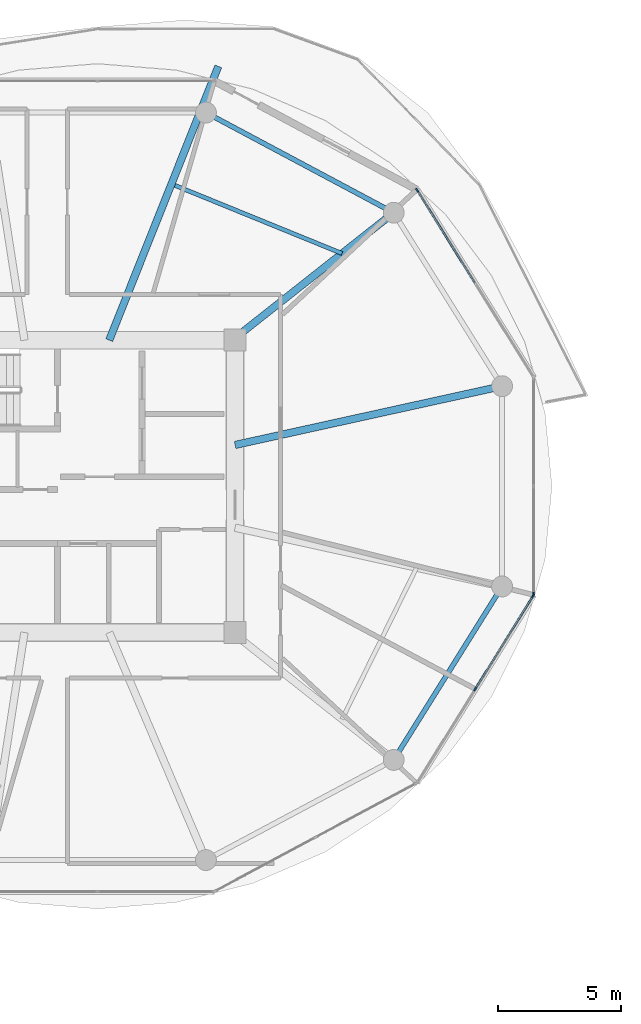
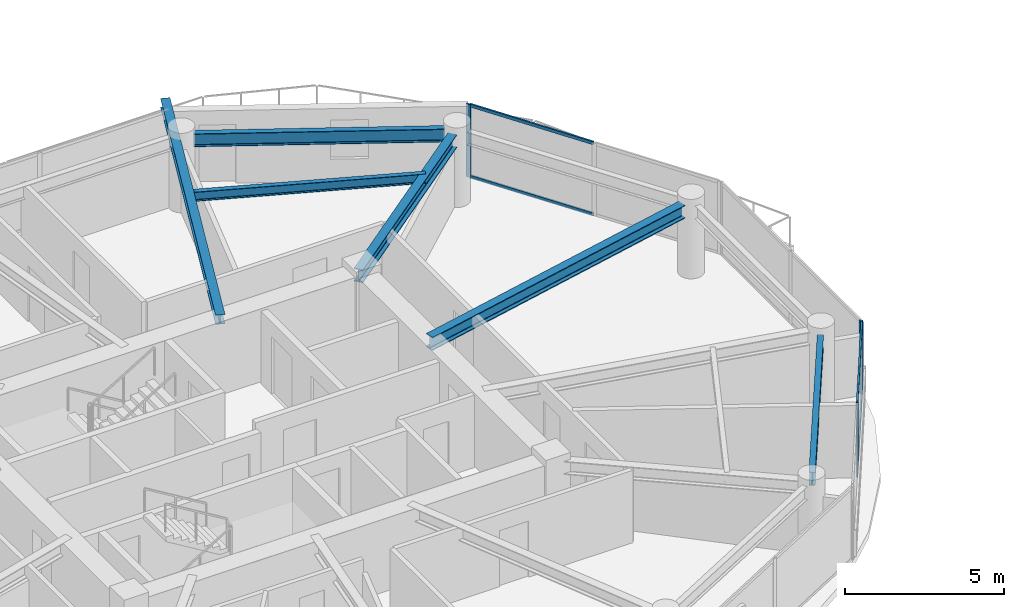
# One storey, part 5 of 23: 8 members, 6 beams, 3 elements without a shape of their own.
"""IFC4 building model written with IfcOpenShell, lengths in metres."""

from ifc_helpers import new_model, si_unit, direction, frame, origin, origin_2d, place, context, subcontext, project, spatial, rectangle, i_section, extrude, source, transform, mapped, material, layer, layer_set, material_profile, profile_set, type_object, type_shapes, element, aggregate, save


model = new_model("IFC4")

# Units and contexts
model_context = context("Model", 3, precision=1e-05, world=origin(), true_north=direction((0.0, 1.0)))
body_context = subcontext(model_context, "Body", "Model", "MODEL_VIEW")
ifc_project = project(units=[si_unit("LENGTHUNIT", "METRE"), si_unit("AREAUNIT", "SQUARE_METRE"), si_unit("VOLUMEUNIT", "CUBIC_METRE"), si_unit("PLANEANGLEUNIT", "RADIAN"), si_unit("MASSUNIT", "GRAM", prefix="KILO")], contexts=[model_context])

# Site, building, storey
site_placement = place(None, origin())
site = spatial("IfcSite", under=ifc_project, at=site_placement, CompositionType="ELEMENT")
building_placement = place(site_placement, origin())
building = spatial("IfcBuilding", under=site, at=building_placement, Name="Norrkilde Senior Care Towers", CompositionType="ELEMENT")
storey_placement = place(building_placement, frame((0.0, 0.0, 81.0)))
storey = spatial("IfcBuildingStorey", under=building, at=storey_placement, Name="L24", CompositionType="ELEMENT", Elevation=81.0)

# Beams
ifc_material_1 = material(Name="Steel S355", Category="steel")
ifc_material_profile_1 = material_profile(ifc_material_1, i_section(OverallWidth=0.199951171875, OverallDepth=0.5, WebThickness=0.01025390625, FlangeThickness=0.01611328125, FilletRadius=0.02099609375, at=origin_2d()), Name="IPE 500")
ifc_profile_set_1 = profile_set([ifc_material_profile_1], Name="Steel S355")
beam_type_1 = type_object("IfcBeamType", Name="Perimeter Ring Spandrel Z2 IPE500", PredefinedType="SPANDREL", material=ifc_profile_set_1)
shared_shape_1 = source(origin(), body_context, "Body", "SweptSolid", [
    extrude(i_section(OverallWidth=0.199951171875, OverallDepth=0.5, WebThickness=0.01025390625, FlangeThickness=0.01611328125, FilletRadius=0.02099609375, at=origin_2d()), origin(), (0.0, 0.0, 1.0), 7.55615234375),
])
beam_1_placement = place(storey_placement, frame((-13.689697265625, -10.810546875, 2.5400390625), z_axis=(0.529981514254, 0.848009194849, 0.0), x_axis=(-0.848009194849, 0.529981514254, 0.0)))
element("IfcBeam", 1, at=beam_1_placement, inside=storey, type_object=beam_type_1, Name="L24 Drum W Perimeter Spandrel 11", PredefinedType="SPANDREL", context=body_context, shape_type="MappedRepresentation", body=[
    mapped(shared_shape_1, transform((0.0, 0.0, 0.0), x_axis=(1.0, 0.0, 0.0), y_axis=(0.0, 1.0, 0.0), z_axis=(0.0, 0.0, 1.0), scale=1.0)),
])
ifc_material_profile_2 = material_profile(ifc_material_1, i_section(OverallWidth=0.300048828125, OverallDepth=0.5, WebThickness=0.014404296875, FlangeThickness=0.028076171875, FilletRadius=0.027099609375, at=origin_2d()), Name="HEB 500")
ifc_profile_set_2 = profile_set([ifc_material_profile_2], Name="Steel S355")
beam_type_2 = type_object("IfcBeamType", Name="Radial Floor Beam Z2 HEB500", PredefinedType="BEAM", material=ifc_profile_set_2)
shared_shape_2 = source(origin(), body_context, "Body", "SweptSolid", [
    extrude(i_section(OverallWidth=0.300048828125, OverallDepth=0.5, WebThickness=0.014404296875, FlangeThickness=0.028076171875, FilletRadius=0.027099609375, at=origin_2d()), origin(), (0.0, 0.0, 1.0), 10.744384765625),
])
beam_2_placement = place(storey_placement, frame((-20.35009765625, 1.683837890625, 2.5400390625), z_axis=(0.976618711422, 0.214978818724, 0.0), x_axis=(-0.214978818724, 0.976618711422, 0.0)))
element("IfcBeam", 2, at=beam_2_placement, inside=storey, type_object=beam_type_2, Name="L24 Drum W Radial Floor Beam 01", PredefinedType="BEAM", context=body_context, shape_type="MappedRepresentation", body=[
    mapped(shared_shape_2, transform((0.0, 0.0, 0.0), x_axis=(1.0, 0.0, 0.0), y_axis=(0.0, 1.0, 0.0), z_axis=(0.0, 0.0, 1.0), scale=1.0)),
])
shared_shape_3 = source(origin(), body_context, "Body", "SweptSolid", [
    extrude(i_section(OverallWidth=0.199951171875, OverallDepth=0.5, WebThickness=0.01025390625, FlangeThickness=0.01611328125, FilletRadius=0.02099609375, at=origin_2d()), origin(), (0.0, 0.0, 1.0), 7.892333984375),
])
type_shapes(beam_type_1, [shared_shape_1, shared_shape_3])
beam_3_placement = place(storey_placement, frame((-14.233642578125, 11.318115234375, 2.5400390625), z_axis=(-0.882350372282, 0.47059305194, 0.0), x_axis=(-0.47059305194, -0.882350372282, 0.0)))
element("IfcBeam", 3, at=beam_3_placement, inside=storey, type_object=beam_type_1, Name="L24 Drum W Perimeter Spandrel 02", PredefinedType="SPANDREL", context=body_context, shape_type="MappedRepresentation", body=[
    mapped(shared_shape_3, transform((0.0, 0.0, 0.0), x_axis=(1.0, 0.0, 0.0), y_axis=(0.0, 1.0, 0.0), z_axis=(0.0, 0.0, 1.0), scale=1.0)),
])
shared_shape_4 = source(origin(), body_context, "Body", "SweptSolid", [
    extrude(i_section(OverallWidth=0.300048828125, OverallDepth=0.5, WebThickness=0.014404296875, FlangeThickness=0.028076171875, FilletRadius=0.027099609375, at=origin_2d()), origin(), (0.0, 0.0, 1.0), 7.985595703125),
])
type_shapes(beam_type_2, [shared_shape_2, shared_shape_4])
beam_4_placement = place(storey_placement, frame((-20.463623046875, 5.949951171875, 2.5400390625), z_axis=(0.784858505144, 0.619675017169, 0.0), x_axis=(-0.619675017169, 0.784858505144, 0.0)))
element("IfcBeam", 4, at=beam_4_placement, inside=storey, type_object=beam_type_2, Name="L24 Drum W Radial Floor Beam 02", PredefinedType="BEAM", context=body_context, shape_type="MappedRepresentation", body=[
    mapped(shared_shape_4, transform((0.0, 0.0, 0.0), x_axis=(1.0, 0.0, 0.0), y_axis=(0.0, 1.0, 0.0), z_axis=(0.0, 0.0, 1.0), scale=1.0)),
])
ifc_material_profile_3 = material_profile(ifc_material_1, i_section(OverallWidth=0.169921875, OverallDepth=0.360107421875, WebThickness=0.008056640625, FlangeThickness=0.0126953125, FilletRadius=0.01806640625, at=origin_2d()), Name="IPE 360")
ifc_profile_set_3 = profile_set([ifc_material_profile_3], Name="Steel S355")
beam_type_3 = type_object("IfcBeamType", Name="Secondary Floor Joist IPE360", PredefinedType="JOIST", material=ifc_profile_set_3)
shared_shape_5 = source(origin(), body_context, "Body", "SweptSolid", [
    extrude(i_section(OverallWidth=0.169921875, OverallDepth=0.360107421875, WebThickness=0.008056640625, FlangeThickness=0.0126953125, FilletRadius=0.01806640625, at=origin_2d()), origin(), (0.0, 0.0, 1.0), 7.343505859375),
])
type_shapes(beam_type_3, [shared_shape_5])
beam_5_placement = place(storey_placement, frame((-15.99609375, 9.47705078125, 2.610107421875), z_axis=(-0.926021784767, 0.377470070519, 0.0), x_axis=(-0.377470070519, -0.926021784767, 0.0)))
element("IfcBeam", 5, at=beam_5_placement, inside=storey, type_object=beam_type_3, Name="L24 Drum W Secondary Floor Joist 1", PredefinedType="JOIST", context=body_context, shape_type="MappedRepresentation", body=[
    mapped(shared_shape_5, transform((0.0, 0.0, 0.0), x_axis=(1.0, 0.0, 0.0), y_axis=(0.0, 1.0, 0.0), z_axis=(0.0, 0.0, 1.0), scale=1.0)),
])
ifc_material_profile_4 = material_profile(ifc_material_1, i_section(OverallWidth=0.300048828125, OverallDepth=0.360107421875, WebThickness=0.012451171875, FlangeThickness=0.0224609375, FilletRadius=0.027099609375, at=origin_2d()), Name="HEB 360")
ifc_profile_set_4 = profile_set([ifc_material_profile_4], Name="Steel S355")
beam_type_4 = type_object("IfcBeamType", Name="Balcony Crest Cantilever Rib HEB360", PredefinedType="BEAM", material=ifc_profile_set_4)
shared_shape_6 = source(origin(), body_context, "Body", "SweptSolid", [
    extrude(i_section(OverallWidth=0.300048828125, OverallDepth=0.360107421875, WebThickness=0.012451171875, FlangeThickness=0.0224609375, FilletRadius=0.027099609375, at=origin_2d()), origin(), (0.0, 0.0, 1.0), 11.998779296875),
])
type_shapes(beam_type_4, [shared_shape_6])
beam_6_placement = place(storey_placement, frame((-25.472412109375, 5.949951171875, 2.610107421875), z_axis=(0.370036132968, 0.929017362754, 0.0), x_axis=(-0.929017362754, 0.370036132968, 0.0)))
element("IfcBeam", 6, at=beam_6_placement, inside=storey, type_object=beam_type_4, Name="L24 Drum W Balcony Cantilever Rib", PredefinedType="BEAM", context=body_context, shape_type="MappedRepresentation", body=[
    mapped(shared_shape_6, transform((0.0, 0.0, 0.0), x_axis=(1.0, 0.0, 0.0), y_axis=(0.0, 1.0, 0.0), z_axis=(0.0, 0.0, 1.0), scale=1.0)),
])

# Curtain wall, member
ifc_material_2 = material(Name="Triple Low-E Insulated Glazing", Category="glass")
ifc_layer = layer(ifc_material_2, 0.195068359375)
ifc_layer_set = layer_set([ifc_layer], Name="Triple Low-E Insulated Glazing")
curtain_wall_type = type_object("IfcCurtainWallType", Name="CW3 Zone 2 Assisted Living Curtain Wall", PredefinedType="NOTDEFINED", material=ifc_layer_set)
curtain_wall_1_placement = place(storey_placement, origin())
curtain_wall_1 = element("IfcCurtainWall", 7, at=curtain_wall_1_placement, inside=storey, type_object=curtain_wall_type, Name="L24 Drum W Curtain Wall 00", PredefinedType="NOTDEFINED")
ifc_material_3 = material(Name="Anodised Aluminium", Category="aluminium")
ifc_material_profile_5 = material_profile(ifc_material_3, rectangle(XDim=0.06494140625, YDim=0.159912109375, at=origin_2d()), Name="ALU MULL 65x160")
ifc_profile_set_5 = profile_set([ifc_material_profile_5], Name="Anodised Aluminium")
member_type_1 = type_object("IfcMemberType", Name="Curtain Wall Mullion Z1-Z2 65x160", PredefinedType="MULLION", material=ifc_profile_set_5)
shared_shape_7 = source(origin(), body_context, "Body", "SweptSolid", [
    extrude(rectangle(XDim=0.06494140625, YDim=0.159912109375, at=origin_2d()), origin(), (0.0, 0.0, 1.0), 2.7900390625),
])
type_shapes(member_type_1, [shared_shape_7])
member_1_placement = place(storey_placement, frame((-12.936279296875, 12.0498046875, 0.0), z_axis=(0.0, 0.0, 1.0), x_axis=(0.849410171862, 0.527733228002, 0.0)))
member_1 = element("IfcMember", 8, at=member_1_placement, type_object=member_type_1, Name="CW-3 mullion 1", PredefinedType="MULLION", context=body_context, shape_type="MappedRepresentation", body=[
    mapped(shared_shape_7, transform((0.0, 0.0, 0.0), x_axis=(1.0, 0.0, 0.0), y_axis=(0.0, 1.0, 0.0), z_axis=(0.0, 0.0, 1.0), scale=1.0)),
])

# Curtain wall, members
curtain_wall_2_placement = place(storey_placement, origin())
curtain_wall_2 = element("IfcCurtainWall", 9, at=curtain_wall_2_placement, inside=storey, type_object=curtain_wall_type, Name="L24 Drum W Curtain Wall 10", PredefinedType="NOTDEFINED")
member_2_placement = place(storey_placement, frame((-8.21337890625, -4.4482421875, 0.0), z_axis=(0.0, 0.0, 1.0), x_axis=(0.849410171862, -0.527733228002, 0.0)))
member_2 = element("IfcMember", 10, at=member_2_placement, type_object=member_type_1, Name="CW-3 mullion 1", PredefinedType="MULLION", context=body_context, shape_type="MappedRepresentation", body=[
    mapped(shared_shape_7, transform((0.0, 0.0, 0.0), x_axis=(1.0, 0.0, 0.0), y_axis=(0.0, 1.0, 0.0), z_axis=(0.0, 0.0, 1.0), scale=1.0)),
])
member_3_placement = place(storey_placement, frame((-10.574951171875, -8.2490234375, 0.0), z_axis=(0.0, 0.0, 1.0), x_axis=(0.849410171862, -0.527733228002, 0.0)))
member_3 = element("IfcMember", 11, at=member_3_placement, type_object=member_type_1, Name="CW-3 mullion 2", PredefinedType="MULLION", context=body_context, shape_type="MappedRepresentation", body=[
    mapped(shared_shape_7, transform((0.0, 0.0, 0.0), x_axis=(1.0, 0.0, 0.0), y_axis=(0.0, 1.0, 0.0), z_axis=(0.0, 0.0, 1.0), scale=1.0)),
])

# Curtain wall, member
curtain_wall_3_placement = place(storey_placement, origin())
curtain_wall_3 = element("IfcCurtainWall", 12, at=curtain_wall_3_placement, inside=storey, type_object=curtain_wall_type, Name="L24 Drum W Curtain Wall 11", PredefinedType="NOTDEFINED")
member_4_placement = place(storey_placement, frame((-8.1962890625, -4.38818359375, 0.0), z_axis=(0.0, 0.0, 1.0), x_axis=(1.0, 0.0, 0.0)))
member_4 = element("IfcMember", 13, at=member_4_placement, type_object=member_type_1, Name="CW-3 mullion 3", PredefinedType="MULLION", context=body_context, shape_type="MappedRepresentation", body=[
    mapped(shared_shape_7, transform((0.0, 0.0, 0.0), x_axis=(1.0, 0.0, 0.0), y_axis=(0.0, 1.0, 0.0), z_axis=(0.0, 0.0, 1.0), scale=1.0)),
])
aggregate(curtain_wall_3, [member_4])

# Member
ifc_material_profile_6 = material_profile(ifc_material_3, rectangle(XDim=0.06005859375, YDim=0.1201171875, at=origin_2d()), Name="ALU TRAN 60x120")
ifc_profile_set_6 = profile_set([ifc_material_profile_6], Name="Anodised Aluminium")
member_type_2 = type_object("IfcMemberType", Name="Curtain Wall Transom Typical 60x120", PredefinedType="USERDEFINED", material=ifc_profile_set_6)
shared_shape_8 = source(origin(), body_context, "Body", "SweptSolid", [
    extrude(rectangle(XDim=0.06005859375, YDim=0.1201171875, at=origin_2d()), origin(), (0.0, 0.0, 1.0), 4.40966796875),
])
type_shapes(member_type_2, [shared_shape_8])
member_5_placement = place(storey_placement, frame((-12.919189453125, 12.022216796875, 0.030029296875), z_axis=(0.527737675578, -0.849407408594, 0.0), x_axis=(0.849407408594, 0.527737675578, 0.0)))
member_5 = element("IfcMember", 14, at=member_5_placement, type_object=member_type_2, Name="CW-3 transom 1.1", ObjectType="TRANSOM", PredefinedType="USERDEFINED", context=body_context, shape_type="MappedRepresentation", body=[
    mapped(shared_shape_8, transform((0.0, 0.0, 0.0), x_axis=(1.0, 0.0, 0.0), y_axis=(0.0, 1.0, 0.0), z_axis=(0.0, 0.0, 1.0), scale=1.0)),
])

member_6_placement = place(storey_placement, frame((-12.919189453125, 12.022216796875, 2.760009765625), z_axis=(0.527737675578, -0.849407408594, 0.0), x_axis=(0.849407408594, 0.527737675578, 0.0)))
member_6 = element("IfcMember", 15, at=member_6_placement, type_object=member_type_2, Name="CW-3 transom 1.2", ObjectType="TRANSOM", PredefinedType="USERDEFINED", context=body_context, shape_type="MappedRepresentation", body=[
    mapped(shared_shape_8, transform((0.0, 0.0, 0.0), x_axis=(1.0, 0.0, 0.0), y_axis=(0.0, 1.0, 0.0), z_axis=(0.0, 0.0, 1.0), scale=1.0)),
])

aggregate(curtain_wall_1, [member_1, member_5, member_6])

member_7_placement = place(storey_placement, frame((-8.23046875, -4.475830078125, 0.030029296875), z_axis=(-0.527737675578, -0.849407408594, 0.0), x_axis=(0.849407408594, -0.527737675578, 0.0)))
member_7 = element("IfcMember", 16, at=member_7_placement, type_object=member_type_2, Name="CW-3 transom 1.1", ObjectType="TRANSOM", PredefinedType="USERDEFINED", context=body_context, shape_type="MappedRepresentation", body=[
    mapped(shared_shape_8, transform((0.0, 0.0, 0.0), x_axis=(1.0, 0.0, 0.0), y_axis=(0.0, 1.0, 0.0), z_axis=(0.0, 0.0, 1.0), scale=1.0)),
])

member_8_placement = place(storey_placement, frame((-8.23046875, -4.475830078125, 2.760009765625), z_axis=(-0.527737675578, -0.849407408594, 0.0), x_axis=(0.849407408594, -0.527737675578, 0.0)))
member_8 = element("IfcMember", 17, at=member_8_placement, type_object=member_type_2, Name="CW-3 transom 1.2", ObjectType="TRANSOM", PredefinedType="USERDEFINED", context=body_context, shape_type="MappedRepresentation", body=[
    mapped(shared_shape_8, transform((0.0, 0.0, 0.0), x_axis=(1.0, 0.0, 0.0), y_axis=(0.0, 1.0, 0.0), z_axis=(0.0, 0.0, 1.0), scale=1.0)),
])

aggregate(curtain_wall_2, [member_2, member_3, member_7, member_8])

save(model, "model.ifc")
